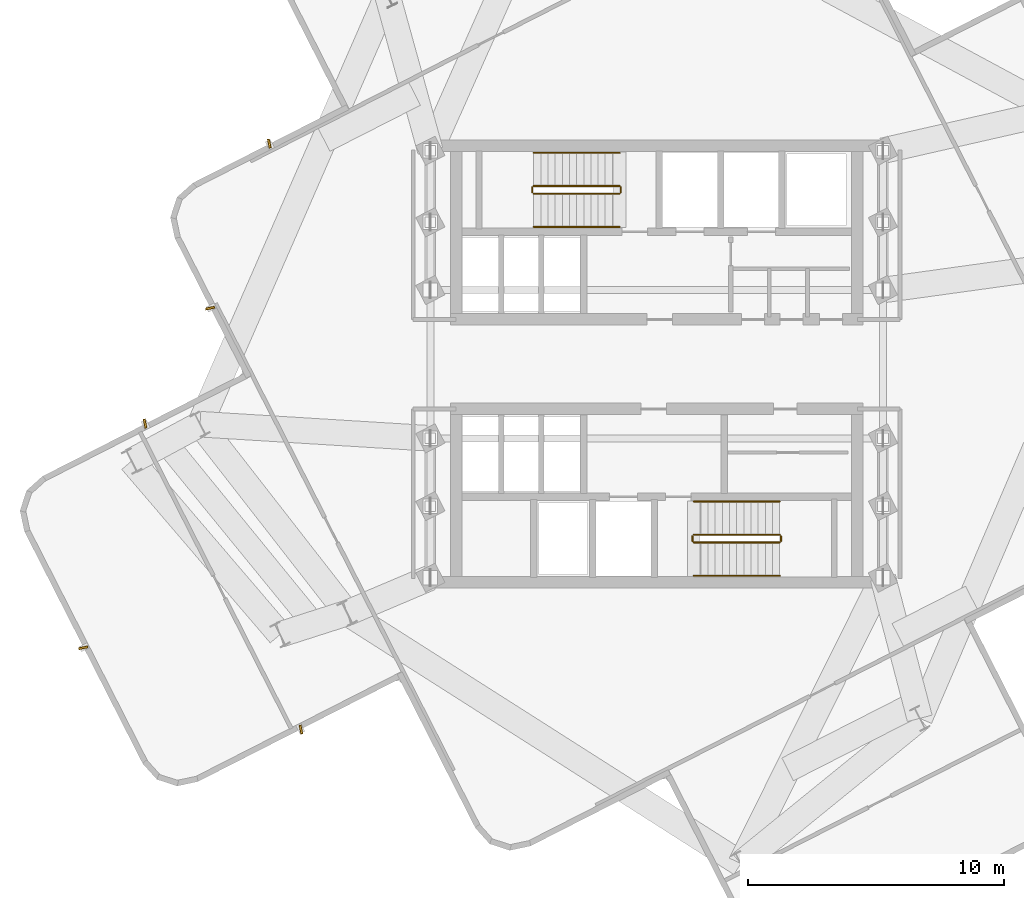
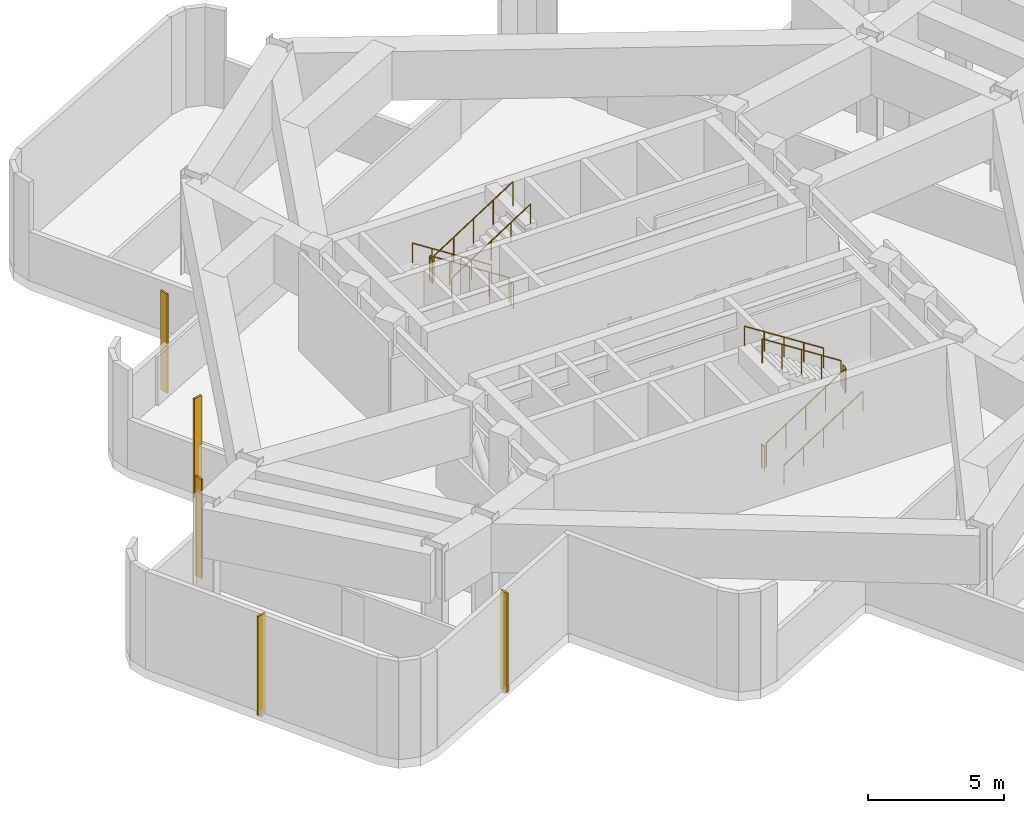
# One storey, part 6 of 6: 12 railings, 5 shading devices.
"""IFC4 building model written with IfcOpenShell, lengths in metres."""

from ifc_helpers import new_model, si_unit, direction, frame, origin, origin_2d, place, context, subcontext, project, spatial, rectangle, circle, extrude, material, layer, layer_set, type_object, element, save


model = new_model("IFC4")

# Units and contexts
model_context = context("Model", 3, precision=1e-05, world=origin(), true_north=direction((0.0, 1.0)))
body_context = subcontext(model_context, "Body", "Model", "MODEL_VIEW")
ifc_project = project(units=[si_unit("LENGTHUNIT", "METRE"), si_unit("AREAUNIT", "SQUARE_METRE"), si_unit("VOLUMEUNIT", "CUBIC_METRE"), si_unit("PLANEANGLEUNIT", "RADIAN"), si_unit("MASSUNIT", "GRAM", prefix="KILO")], contexts=[model_context])

# Site, building, storey
site_placement = place(None, origin())
site = spatial("IfcSite", under=ifc_project, at=site_placement, CompositionType="ELEMENT")
building_placement = place(site_placement, origin())
building = spatial("IfcBuilding", under=site, at=building_placement, Name="Solmarez Civic Tower", CompositionType="ELEMENT")
storey_placement = place(building_placement, frame((0.0, 0.0, 196.199951171875)))
storey = spatial("IfcBuildingStorey", under=building, at=storey_placement, Name="L52", CompositionType="ELEMENT", Elevation=196.199951171875)

# Railings
ifc_material_1 = material(Name="Painted Steel Stairwell Safety Guard", Category="steel")
railing_type_1 = type_object("IfcRailingType", Name="GUARD-STAIR-1120", PredefinedType="BALUSTRADE", material=ifc_material_1)
railing_1_placement = place(storey_placement, frame((-1.449951171875, 6.969970703125, 0.179931640625)))
element("IfcRailing", 1, at=railing_1_placement, inside=storey, type_object=railing_type_1, Name="L52 ST-1 stair guard 1", PredefinedType="BALUSTRADE", context=body_context, shape_type="SweptSolid", body=[
    extrude(circle(Radius=0.02392578125, at=origin_2d()), frame((0.0, 0.0, 1.09619140625), z_axis=(-0.8411685463, 0.0, 0.540773036232), x_axis=(0.0, -1.0, 0.0)), (0.0, 0.0, 1.0), 3.99462890625),
    extrude(circle(Radius=0.02099609375, at=origin_2d()), origin(), (0.0, 0.0, 1.0), 1.072021484375),
    extrude(circle(Radius=0.02099609375, at=origin_2d()), frame((-0.840087890625, 0.0, 0.5400390625)), (0.0, 0.0, 1.0), 1.072021484375),
    extrude(circle(Radius=0.02099609375, at=origin_2d()), frame((-1.68017578125, 0.0, 1.080078125)), (0.0, 0.0, 1.0), 1.072021484375),
    extrude(circle(Radius=0.02099609375, at=origin_2d()), frame((-2.52001953125, 0.0, 1.6201171875)), (0.0, 0.0, 1.0), 1.072021484375),
    extrude(circle(Radius=0.02099609375, at=origin_2d()), frame((-3.360107421875, 0.0, 2.16015625)), (0.0, 0.0, 1.0), 1.072021484375),
])
railing_2_placement = place(storey_placement, frame((-4.860107421875, 6.919921875, 2.340087890625)))
element("IfcRailing", 2, at=railing_2_placement, inside=storey, type_object=railing_type_1, Name="L52 ST-1 stair guard 2", PredefinedType="BALUSTRADE", context=body_context, shape_type="SweptSolid", body=[
    extrude(circle(Radius=0.02392578125, at=origin_2d()), frame((0.0, 0.0, 1.09619140625), z_axis=(0.0, -1.0, 0.0), x_axis=(1.0, 0.0, 0.0)), (0.0, 0.0, 1.0), 0.199951171875),
    extrude(circle(Radius=0.02099609375, at=origin_2d()), origin(), (0.0, 0.0, 1.0), 1.072021484375),
    extrude(circle(Radius=0.02099609375, at=origin_2d()), frame((0.0, -0.199951171875, 0.0)), (0.0, 0.0, 1.0), 1.072021484375),
])
railing_3_placement = place(storey_placement, frame((-4.81005859375, 6.669921875, 2.52001953125)))
element("IfcRailing", 3, at=railing_3_placement, inside=storey, type_object=railing_type_1, Name="L52 ST-1 stair guard 3", PredefinedType="BALUSTRADE", context=body_context, shape_type="SweptSolid", body=[
    extrude(circle(Radius=0.02392578125, at=origin_2d()), frame((0.0, 0.0, 1.09619140625), z_axis=(0.84119634759, 0.0, 0.540729789082), x_axis=(0.0, 1.0, 0.0)), (0.0, 0.0, 1.0), 3.994384765625),
    extrude(circle(Radius=0.02099609375, at=origin_2d()), origin(), (0.0, 0.0, 1.0), 1.072021484375),
    extrude(circle(Radius=0.02099609375, at=origin_2d()), frame((0.840087890625, 0.0, 0.5400390625)), (0.0, 0.0, 1.0), 1.072021484375),
    extrude(circle(Radius=0.02099609375, at=origin_2d()), frame((1.68017578125, 0.0, 1.080078125)), (0.0, 0.0, 1.0), 1.072021484375),
    extrude(circle(Radius=0.02099609375, at=origin_2d()), frame((2.52001953125, 0.0, 1.619873046875)), (0.0, 0.0, 1.0), 1.072021484375),
    extrude(circle(Radius=0.02099609375, at=origin_2d()), frame((3.360107421875, 0.0, 2.159912109375)), (0.0, 0.0, 1.0), 1.072021484375),
])
railing_4_placement = place(storey_placement, frame((-1.39990234375, 6.919921875, 0.0)))
element("IfcRailing", 4, at=railing_4_placement, inside=storey, type_object=railing_type_1, Name="L52 ST-1 stair guard 4", PredefinedType="BALUSTRADE", context=body_context, shape_type="SweptSolid", body=[
    extrude(circle(Radius=0.02392578125, at=origin_2d()), frame((0.0, 0.0, 1.09619140625), z_axis=(0.0, -1.0, 0.0), x_axis=(1.0, 0.0, 0.0)), (0.0, 0.0, 1.0), 0.199951171875),
    extrude(circle(Radius=0.02099609375, at=origin_2d()), origin(), (0.0, 0.0, 1.0), 1.072021484375),
    extrude(circle(Radius=0.02099609375, at=origin_2d()), frame((0.0, -0.199951171875, 0.0)), (0.0, 0.0, 1.0), 1.072021484375),
])
railing_5_placement = place(storey_placement, frame((1.449951171875, -6.969970703125, 0.179931640625)))
element("IfcRailing", 5, at=railing_5_placement, inside=storey, type_object=railing_type_1, Name="L52 ST-2 stair guard 1", PredefinedType="BALUSTRADE", context=body_context, shape_type="SweptSolid", body=[
    extrude(circle(Radius=0.02392578125, at=origin_2d()), frame((0.0, 0.0, 1.09619140625), z_axis=(0.8411685463, 0.0, 0.540773036232), x_axis=(0.0, 1.0, 0.0)), (0.0, 0.0, 1.0), 3.99462890625),
    extrude(circle(Radius=0.02099609375, at=origin_2d()), origin(), (0.0, 0.0, 1.0), 1.072021484375),
    extrude(circle(Radius=0.02099609375, at=origin_2d()), frame((0.840087890625, 0.0, 0.5400390625)), (0.0, 0.0, 1.0), 1.072021484375),
    extrude(circle(Radius=0.02099609375, at=origin_2d()), frame((1.68017578125, 0.0, 1.080078125)), (0.0, 0.0, 1.0), 1.072021484375),
    extrude(circle(Radius=0.02099609375, at=origin_2d()), frame((2.52001953125, 0.0, 1.6201171875)), (0.0, 0.0, 1.0), 1.072021484375),
    extrude(circle(Radius=0.02099609375, at=origin_2d()), frame((3.360107421875, 0.0, 2.16015625)), (0.0, 0.0, 1.0), 1.072021484375),
])
railing_6_placement = place(storey_placement, frame((4.860107421875, -6.919921875, 2.340087890625)))
element("IfcRailing", 6, at=railing_6_placement, inside=storey, type_object=railing_type_1, Name="L52 ST-2 stair guard 2", PredefinedType="BALUSTRADE", context=body_context, shape_type="SweptSolid", body=[
    extrude(circle(Radius=0.02392578125, at=origin_2d()), frame((0.0, 0.0, 1.09619140625), z_axis=(0.0, 1.0, 0.0), x_axis=(-1.0, 0.0, 0.0)), (0.0, 0.0, 1.0), 0.199951171875),
    extrude(circle(Radius=0.02099609375, at=origin_2d()), origin(), (0.0, 0.0, 1.0), 1.072021484375),
    extrude(circle(Radius=0.02099609375, at=origin_2d()), frame((0.0, 0.199951171875, 0.0)), (0.0, 0.0, 1.0), 1.072021484375),
])
railing_7_placement = place(storey_placement, frame((4.81005859375, -6.669921875, 2.52001953125)))
element("IfcRailing", 7, at=railing_7_placement, inside=storey, type_object=railing_type_1, Name="L52 ST-2 stair guard 3", PredefinedType="BALUSTRADE", context=body_context, shape_type="SweptSolid", body=[
    extrude(circle(Radius=0.02392578125, at=origin_2d()), frame((0.0, 0.0, 1.09619140625), z_axis=(-0.84119634759, 0.0, 0.540729789082), x_axis=(0.0, -1.0, 0.0)), (0.0, 0.0, 1.0), 3.994384765625),
    extrude(circle(Radius=0.02099609375, at=origin_2d()), origin(), (0.0, 0.0, 1.0), 1.072021484375),
    extrude(circle(Radius=0.02099609375, at=origin_2d()), frame((-0.840087890625, 0.0, 0.5400390625)), (0.0, 0.0, 1.0), 1.072021484375),
    extrude(circle(Radius=0.02099609375, at=origin_2d()), frame((-1.68017578125, 0.0, 1.080078125)), (0.0, 0.0, 1.0), 1.072021484375),
    extrude(circle(Radius=0.02099609375, at=origin_2d()), frame((-2.52001953125, 0.0, 1.619873046875)), (0.0, 0.0, 1.0), 1.072021484375),
    extrude(circle(Radius=0.02099609375, at=origin_2d()), frame((-3.360107421875, 0.0, 2.159912109375)), (0.0, 0.0, 1.0), 1.072021484375),
])
railing_8_placement = place(storey_placement, frame((1.39990234375, -6.919921875, 0.0)))
element("IfcRailing", 8, at=railing_8_placement, inside=storey, type_object=railing_type_1, Name="L52 ST-2 stair guard 4", PredefinedType="BALUSTRADE", context=body_context, shape_type="SweptSolid", body=[
    extrude(circle(Radius=0.02392578125, at=origin_2d()), frame((0.0, 0.0, 1.09619140625), z_axis=(0.0, 1.0, 0.0), x_axis=(-1.0, 0.0, 0.0)), (0.0, 0.0, 1.0), 0.199951171875),
    extrude(circle(Radius=0.02099609375, at=origin_2d()), origin(), (0.0, 0.0, 1.0), 1.072021484375),
    extrude(circle(Radius=0.02099609375, at=origin_2d()), frame((0.0, 0.199951171875, 0.0)), (0.0, 0.0, 1.0), 1.072021484375),
])
ifc_material_2 = material(Name="Brushed Stainless Steel Tube Handrail", Category="steel")
railing_type_2 = type_object("IfcRailingType", Name="HANDRAIL-STAIR-900", PredefinedType="HANDRAIL", material=ifc_material_2)
railing_9_placement = place(storey_placement, frame((-1.449951171875, 8.27001953125, 0.179931640625)))
element("IfcRailing", 9, at=railing_9_placement, inside=storey, type_object=railing_type_2, Name="L52 ST-1 stair handrail 1", PredefinedType="HANDRAIL", context=body_context, shape_type="SweptSolid", body=[
    extrude(circle(Radius=0.02392578125, at=origin_2d()), frame((0.0, 0.0, 0.8759765625), z_axis=(-0.8411685463, 0.0, 0.540773036232), x_axis=(0.0, -1.0, 0.0)), (0.0, 0.0, 1.0), 3.99462890625),
    extrude(circle(Radius=0.02099609375, at=origin_2d()), origin(), (0.0, 0.0, 1.0), 0.851806640625),
    extrude(circle(Radius=0.02099609375, at=origin_2d()), frame((-0.840087890625, 0.0, 0.5400390625)), (0.0, 0.0, 1.0), 0.851806640625),
    extrude(circle(Radius=0.02099609375, at=origin_2d()), frame((-1.68017578125, 0.0, 1.080078125)), (0.0, 0.0, 1.0), 0.851806640625),
    extrude(circle(Radius=0.02099609375, at=origin_2d()), frame((-2.52001953125, 0.0, 1.6201171875)), (0.0, 0.0, 1.0), 0.851806640625),
    extrude(circle(Radius=0.02099609375, at=origin_2d()), frame((-3.360107421875, 0.0, 2.16015625)), (0.0, 0.0, 1.0), 0.851806640625),
])
railing_10_placement = place(storey_placement, frame((-4.81005859375, 5.3701171875, 2.52001953125)))
element("IfcRailing", 10, at=railing_10_placement, inside=storey, type_object=railing_type_2, Name="L52 ST-1 stair handrail 2", PredefinedType="HANDRAIL", context=body_context, shape_type="SweptSolid", body=[
    extrude(circle(Radius=0.02392578125, at=origin_2d()), frame((0.0, 0.0, 0.8759765625), z_axis=(0.84119634759, 0.0, 0.540729789082), x_axis=(0.0, 1.0, 0.0)), (0.0, 0.0, 1.0), 3.994384765625),
    extrude(circle(Radius=0.02099609375, at=origin_2d()), origin(), (0.0, 0.0, 1.0), 0.851806640625),
    extrude(circle(Radius=0.02099609375, at=origin_2d()), frame((0.840087890625, 0.0, 0.5400390625)), (0.0, 0.0, 1.0), 0.851806640625),
    extrude(circle(Radius=0.02099609375, at=origin_2d()), frame((1.68017578125, 0.0, 1.080078125)), (0.0, 0.0, 1.0), 0.851806640625),
    extrude(circle(Radius=0.02099609375, at=origin_2d()), frame((2.52001953125, 0.0, 1.619873046875)), (0.0, 0.0, 1.0), 0.851806640625),
    extrude(circle(Radius=0.02099609375, at=origin_2d()), frame((3.360107421875, 0.0, 2.159912109375)), (0.0, 0.0, 1.0), 0.851806640625),
])
railing_11_placement = place(storey_placement, frame((1.449951171875, -8.27001953125, 0.179931640625)))
element("IfcRailing", 11, at=railing_11_placement, inside=storey, type_object=railing_type_2, Name="L52 ST-2 stair handrail 1", PredefinedType="HANDRAIL", context=body_context, shape_type="SweptSolid", body=[
    extrude(circle(Radius=0.02392578125, at=origin_2d()), frame((0.0, 0.0, 0.8759765625), z_axis=(0.8411685463, 0.0, 0.540773036232), x_axis=(0.0, 1.0, 0.0)), (0.0, 0.0, 1.0), 3.99462890625),
    extrude(circle(Radius=0.02099609375, at=origin_2d()), origin(), (0.0, 0.0, 1.0), 0.851806640625),
    extrude(circle(Radius=0.02099609375, at=origin_2d()), frame((0.840087890625, 0.0, 0.5400390625)), (0.0, 0.0, 1.0), 0.851806640625),
    extrude(circle(Radius=0.02099609375, at=origin_2d()), frame((1.68017578125, 0.0, 1.080078125)), (0.0, 0.0, 1.0), 0.851806640625),
    extrude(circle(Radius=0.02099609375, at=origin_2d()), frame((2.52001953125, 0.0, 1.6201171875)), (0.0, 0.0, 1.0), 0.851806640625),
    extrude(circle(Radius=0.02099609375, at=origin_2d()), frame((3.360107421875, 0.0, 2.16015625)), (0.0, 0.0, 1.0), 0.851806640625),
])
railing_12_placement = place(storey_placement, frame((4.81005859375, -5.3701171875, 2.52001953125)))
element("IfcRailing", 12, at=railing_12_placement, inside=storey, type_object=railing_type_2, Name="L52 ST-2 stair handrail 2", PredefinedType="HANDRAIL", context=body_context, shape_type="SweptSolid", body=[
    extrude(circle(Radius=0.02392578125, at=origin_2d()), frame((0.0, 0.0, 0.8759765625), z_axis=(-0.84119634759, 0.0, 0.540729789082), x_axis=(0.0, -1.0, 0.0)), (0.0, 0.0, 1.0), 3.994384765625),
    extrude(circle(Radius=0.02099609375, at=origin_2d()), origin(), (0.0, 0.0, 1.0), 0.851806640625),
    extrude(circle(Radius=0.02099609375, at=origin_2d()), frame((-0.840087890625, 0.0, 0.5400390625)), (0.0, 0.0, 1.0), 0.851806640625),
    extrude(circle(Radius=0.02099609375, at=origin_2d()), frame((-1.68017578125, 0.0, 1.080078125)), (0.0, 0.0, 1.0), 0.851806640625),
    extrude(circle(Radius=0.02099609375, at=origin_2d()), frame((-2.52001953125, 0.0, 1.619873046875)), (0.0, 0.0, 1.0), 0.851806640625),
    extrude(circle(Radius=0.02099609375, at=origin_2d()), frame((-3.360107421875, 0.0, 2.159912109375)), (0.0, 0.0, 1.0), 0.851806640625),
])

# Shading devices
ifc_material_3 = material(Name="Bronze Anodised Aluminium EN AW-6063 T6", Category="aluminium")
ifc_layer = layer(ifc_material_3, 0.080078125)
ifc_layer_set = layer_set([ifc_layer], Name="Bronze Anodised Aluminium EN AW-6063 T6")
shading_device_type = type_object("IfcShadingDeviceType", Name="LOUVRE-PLANT-1", PredefinedType="USERDEFINED", material=ifc_layer_set)
for number, where, z_axis, x_axis, name in (
    (13, (-13.910888671875, -14.287109375, -0.0400390625), (0.0, 0.0, 1.0), (0.201077921146, -0.979575249599, 0.0), "L52 Acoustic Plant Louvre LVR-L52-01"),
    (14, (-22.425048828125, -11.089111328125, -0.0400390625), (0.0, 0.0, 1.0), (-0.979589285099, -0.201009533402, 0.0), "L52 Acoustic Plant Louvre LVR-L52-02"),
    (15, (-20.008056640625, -2.322021484375, -0.0400390625), (0.0, 0.0, 1.0), (-0.201043727397, 0.979582267946, 0.0), "L52 Acoustic Plant Louvre LVR-L52-03"),
    (16, (-17.462890625, 2.19189453125, -0.0400390625), (0.0, 0.0, 1.0), (-0.979568230059, -0.20111211465, 0.0), "L52 Acoustic Plant Louvre LVR-L52-04"),
    (17, (-15.14892578125, 8.6279296875, -0.0400390625), (0.0, 0.0, 1.0), (-0.201095017929, 0.979571739978, 0.0), "L52 Acoustic Plant Louvre LVR-L52-05"),
):
    element("IfcShadingDevice", number, at=place(storey_placement, frame(where, z_axis=z_axis, x_axis=x_axis)), inside=storey, type_object=shading_device_type, Name=name, ObjectType="LOUVRE", PredefinedType="USERDEFINED", context=body_context, shape_type="SweptSolid", body=[
        extrude(rectangle(XDim=0.35009765625, YDim=0.080078125, at=origin_2d()), origin(), (0.0, 0.0, 1.0), 4.4599609375),
    ])

save(model, "model.ifc")
